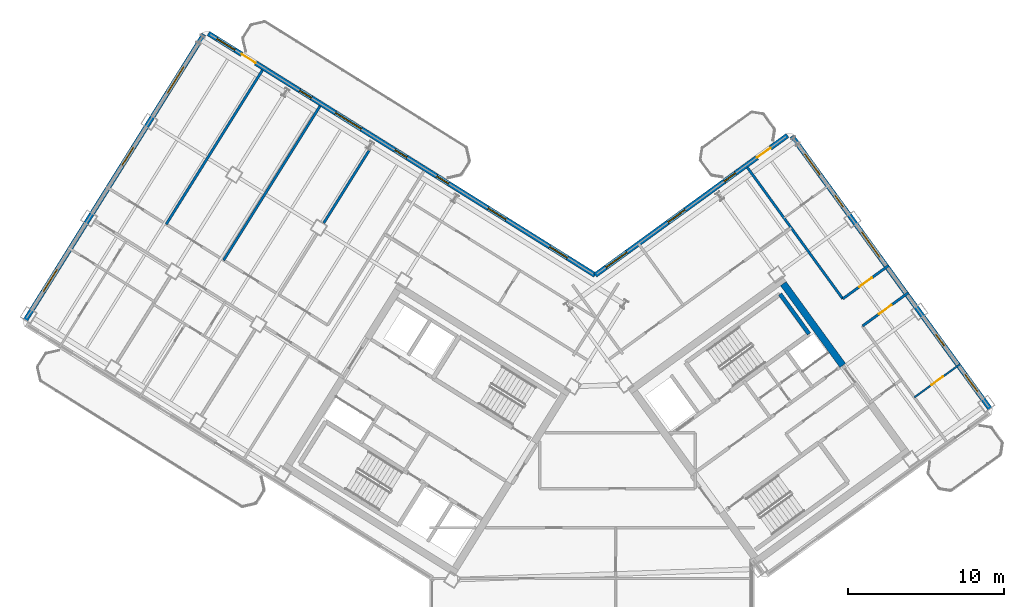
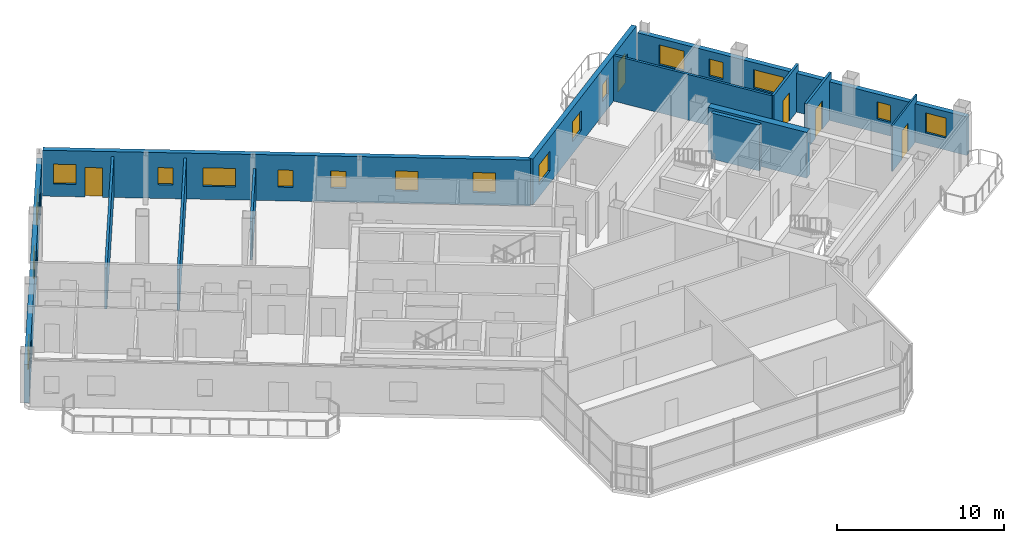
# One storey, part 15 of 21: 18 windows, 13 walls, 5 doors, 23 openings.
"""IFC4 building model written with IfcOpenShell, lengths in metres."""

from ifc_helpers import new_model, si_unit, direction, frame, frame_2d, origin, place, context, subcontext, project, spatial, rectangle, extrude, source, transform, mapped, material, layer, layer_set, type_object, element, fill, save


model = new_model("IFC4")

# Units and contexts
model_context = context("Model", 3, precision=1e-05, world=origin(), true_north=direction((0.0, 1.0)))
body_context = subcontext(model_context, "Body", "Model", "MODEL_VIEW")
ifc_project = project(units=[si_unit("LENGTHUNIT", "METRE"), si_unit("AREAUNIT", "SQUARE_METRE"), si_unit("VOLUMEUNIT", "CUBIC_METRE"), si_unit("PLANEANGLEUNIT", "RADIAN"), si_unit("MASSUNIT", "GRAM", prefix="KILO")], contexts=[model_context])

# Site, building, storey
site_placement = place(None, origin())
site = spatial("IfcSite", under=ifc_project, at=site_placement, CompositionType="ELEMENT")
building_placement = place(site_placement, origin())
building = spatial("IfcBuilding", under=site, at=building_placement, Name="Tlacorven Tower", CompositionType="ELEMENT")
storey_placement = place(building_placement, frame((0.0, 0.0, 207.60009765625)))
storey = spatial("IfcBuildingStorey", under=building, at=storey_placement, Name="L52", CompositionType="ELEMENT", Elevation=207.60009765625)

# Walls
ifc_material_1 = material(Name="Concrete C50/60", Category="concrete")
ifc_layer_1 = layer(ifc_material_1, 0.449951171875)
ifc_layer_set_1 = layer_set([ifc_layer_1], Name="Concrete C50/60")
wall_type_1 = type_object("IfcWallType", Name="WL-COR-450", PredefinedType="SHEAR", material=ifc_layer_set_1)
wall_1_placement = place(storey_placement, frame((58.06396484375, 25.8134765625, 0.0), z_axis=(0.0, 0.0, 1.0), x_axis=(-0.587774812919, 0.809024578921, 0.0)))
element("IfcWall", 1, at=wall_1_placement, inside=storey, type_object=wall_type_1, Name="L52 E core end wall E2.2", PredefinedType="SHEAR", context=body_context, shape_type="SweptSolid", body=[
    extrude(rectangle(XDim=6.47509765625, YDim=0.449951171875, at=frame_2d((3.237548828125, 0.0))), origin(), (0.0, 0.0, 1.0), 3.349853515625),
])
ifc_material_2 = material(Name="Gypsum plasterboard acoustic partition", Category="gypsum")
ifc_layer_2 = layer(ifc_material_2, 0.159912109375)
ifc_layer_set_2 = layer_set([ifc_layer_2], Name="Gypsum plasterboard acoustic partition")
wall_type_2 = type_object("IfcWallType", Name="WL-DEM-160", PredefinedType="PARTITIONING", material=ifc_layer_set_2)
wall_2_placement = place(storey_placement, frame((27.73046875, 39.596923828125, 0.0), z_axis=(0.0, 0.0, 1.0), x_axis=(-0.529919150083, -0.848048167486, 0.0)))
element("IfcWall", 2, at=wall_2_placement, inside=storey, type_object=wall_type_2, Name="L52 partition 55", PredefinedType="PARTITIONING", context=body_context, shape_type="SweptSolid", body=[
    extrude(rectangle(XDim=5.5009765625, YDim=0.159912109375, at=frame_2d((2.75048828125, 0.0))), origin(), (0.0, 0.0, 1.0), 2.824951171875),
])
for number, where, z_axis, x_axis, name in (
    (3, (24.577880859375, 42.43603515625, 0.0), (0.0, 0.0, 1.0), (-0.529916055051, -0.848050101468, 0.0), "L52 partition 56"),
    (4, (20.89404296875, 44.738037109375, 0.0), (0.0, 0.0, 1.0), (-0.529916055051, -0.848050101468, 0.0), "L52 partition 57"),
):
    element("IfcWall", number, at=place(storey_placement, frame(where, z_axis=z_axis, x_axis=x_axis)), inside=storey, type_object=wall_type_2, Name=name, PredefinedType="PARTITIONING", context=body_context, shape_type="SweptSolid", body=[
        extrude(rectangle(XDim=11.650146484375, YDim=0.159912109375, at=frame_2d((5.8251953125, 0.0))), origin(), (0.0, 0.0, 1.0), 2.994873046875),
    ])
wall_3_placement = place(storey_placement, frame((58.06689453125, 30.080078125, 0.0), z_axis=(0.0, 0.0, 1.0), x_axis=(-0.587787785243, 0.809015154073, 0.0)))
element("IfcWall", 5, at=wall_3_placement, inside=storey, type_object=wall_type_2, Name="L52 partition 78", PredefinedType="PARTITIONING", context=body_context, shape_type="SweptSolid", body=[
    extrude(rectangle(XDim=10.400146484375, YDim=0.159912109375, at=frame_2d((5.2001953125, 0.0))), origin(), (0.0, 0.0, 1.0), 3.33984375),
])

# Wall, opening, door
wall_4_placement = place(storey_placement, frame((59.33056640625, 28.340576171875, 0.0), z_axis=(0.0, 0.0, 1.0), x_axis=(0.809003564202, 0.587803736896, 0.0)))
wall_4 = element("IfcWall", 6, at=wall_4_placement, inside=storey, type_object=wall_type_2, Name="L52 partition 80", PredefinedType="PARTITIONING", context=body_context, shape_type="SweptSolid", body=[
    extrude(rectangle(XDim=3.630126953125, YDim=0.159912109375, at=frame_2d((1.81494140625, 0.0))), origin(), (0.0, 0.0, 1.0), 3.33984375),
])
opening_1_placement = place(wall_4_placement, frame((1.304931640625, 0.0, 0.0)))
opening_1 = element("IfcOpeningElement", 7, at=opening_1_placement, cuts=wall_4, Name="Opening D11", PredefinedType="OPENING", context=body_context, shape_type="SweptSolid", body=[
    extrude(rectangle(XDim=1.0, YDim=2.10009765625, at=frame_2d((0.5, 1.050048828125))), frame((0.0, 0.08984375, 0.0), z_axis=(0.0, -1.0, 0.0), x_axis=(1.0, 0.0, 0.0)), (0.0, 0.0, 1.0), 0.179931640625),
])
ifc_material_3 = material(Name="Fire-rated steel door assembly", Category="steel")
door_type_1 = type_object("IfcDoorType", Name="DR-FLT-FD60-1000", OperationType="NOTDEFINED", PredefinedType="DOOR", material=ifc_material_3)
shared_shape_1 = source(origin(), body_context, "Body", "SweptSolid", [
    extrude(rectangle(XDim=1.0, YDim=2.10009765625, at=frame_2d((0.5, 1.050048828125))), frame((0.0, 0.02490234375, 0.0), z_axis=(0.0, -1.0, 0.0), x_axis=(1.0, 0.0, 0.0)), (0.0, 0.0, 1.0), 0.050048828125),
])
door_1_placement = place(opening_1_placement, origin())
door_1 = element("IfcDoor", 8, at=door_1_placement, inside=storey, type_object=door_type_1, Name="L52 door 054", OperationType="SINGLE_SWING_LEFT", OverallHeight=2.10009765625, OverallWidth=1.0, PredefinedType="DOOR", context=body_context, shape_type="MappedRepresentation", body=[
    mapped(shared_shape_1, transform((0.0, 0.0, 0.0), scale=1.0)),
])
fill(opening_1, door_1)

wall_5_placement = place(storey_placement, frame((58.06689453125, 30.080078125, 0.0), z_axis=(0.0, 0.0, 1.0), x_axis=(0.809012309495, 0.587791700422, 0.0)))
wall_5 = element("IfcWall", 9, at=wall_5_placement, inside=storey, type_object=wall_type_2, Name="L52 partition 81", PredefinedType="PARTITIONING", context=body_context, shape_type="SweptSolid", body=[
    extrude(rectangle(XDim=3.6298828125, YDim=0.159912109375, at=frame_2d((1.81494140625, 0.0))), origin(), (0.0, 0.0, 1.0), 3.33984375),
])
opening_2_placement = place(wall_5_placement, frame((1.304931640625, 0.0, 0.0)))
opening_2 = element("IfcOpeningElement", 10, at=opening_2_placement, cuts=wall_5, Name="Opening D11", PredefinedType="OPENING", context=body_context, shape_type="SweptSolid", body=[
    extrude(rectangle(XDim=1.0, YDim=2.10009765625, at=frame_2d((0.5, 1.050048828125))), frame((0.0, 0.08984375, 0.0), z_axis=(0.0, -1.0, 0.0), x_axis=(1.0, 0.0, 0.0)), (0.0, 0.0, 1.0), 0.179931640625),
])
door_2_placement = place(opening_2_placement, origin())
door_2 = element("IfcDoor", 11, at=door_2_placement, inside=storey, type_object=door_type_1, Name="L52 door 052", OperationType="SINGLE_SWING_LEFT", OverallHeight=2.10009765625, OverallWidth=1.0, PredefinedType="DOOR", context=body_context, shape_type="MappedRepresentation", body=[
    mapped(shared_shape_1, transform((0.0, 0.0, 0.0), scale=1.0)),
])
fill(opening_2, door_2)

# Wall, openings, windows
ifc_material_4 = material(Name="Precast concrete C45/55", Category="concrete")
ifc_layer_3 = layer(ifc_material_4, 0.320068359375)
ifc_layer_set_3 = layer_set([ifc_layer_3], Name="Precast concrete C45/55")
wall_type_3 = type_object("IfcWallType", Name="WL-EXT-320", PredefinedType="STANDARD", material=ifc_layer_set_3)
wall_6_placement = place(storey_placement, frame((5.699951171875, 28.71044921875, 0.0), z_axis=(0.0, 0.0, 1.0), x_axis=(0.529923711467, 0.8480453172, 0.0)))
wall_6 = element("IfcWall", 12, at=wall_6_placement, inside=storey, type_object=wall_type_3, Name="L52 Masonry-Frame Recessed Facade Wall 2", PredefinedType="STANDARD", context=body_context, shape_type="SweptSolid", body=[
    extrude(rectangle(XDim=21.58740234375, YDim=0.320068359375, at=frame_2d((10.793701171875, 0.0))), origin(), (0.0, 0.0, 1.0), 2.824951171875),
])
opening_3_placement = place(wall_6_placement, frame((2.18359375, 0.0, 0.89990234375)))
opening_3 = element("IfcOpeningElement", 13, at=opening_3_placement, cuts=wall_6, Name="Opening WN07", PredefinedType="OPENING", context=body_context, shape_type="SweptSolid", body=[
    extrude(rectangle(XDim=1.64990234375, YDim=1.449951171875, at=frame_2d((0.824951171875, 0.72509765625))), frame((0.0, 0.169921875, 0.0), z_axis=(0.0, -1.0, 0.0), x_axis=(1.0, 0.0, 0.0)), (0.0, 0.0, 1.0), 0.340087890625),
])
opening_4_placement = place(wall_6_placement, frame((11.708740234375, 0.0, 0.89990234375)))
opening_4 = element("IfcOpeningElement", 14, at=opening_4_placement, cuts=wall_6, Name="Opening WN08", PredefinedType="OPENING", context=body_context, shape_type="SweptSolid", body=[
    extrude(rectangle(XDim=1.35009765625, YDim=1.449951171875, at=frame_2d((0.675048828125, 0.72509765625))), frame((0.0, 0.169921875, 0.0), z_axis=(0.0, -1.0, 0.0), x_axis=(1.0, 0.0, 0.0)), (0.0, 0.0, 1.0), 0.340087890625),
])
opening_5_placement = place(wall_6_placement, frame((17.18115234375, 0.0, 0.949951171875)))
opening_5 = element("IfcOpeningElement", 15, at=opening_5_placement, cuts=wall_6, Name="Opening WN09", PredefinedType="OPENING", context=body_context, shape_type="SweptSolid", body=[
    extrude(rectangle(XDim=1.949951171875, YDim=1.35009765625, at=frame_2d((0.97509765625, 0.675048828125))), frame((0.0, 0.169921875, 0.0), z_axis=(0.0, -1.0, 0.0), x_axis=(1.0, 0.0, 0.0)), (0.0, 0.0, 1.0), 0.340087890625),
])
ifc_material_5 = material(Name="Dark solar low-E double glazing in anodised aluminium frame", Category="aluminium")
window_type_1 = type_object("IfcWindowType", Name="WN-APT-1650X1600", PartitioningType="SINGLE_PANEL", PredefinedType="WINDOW", material=ifc_material_5)
shared_shape_2 = source(origin(), body_context, "Body", "SweptSolid", [
    extrude(rectangle(XDim=1.64990234375, YDim=1.449951171875, at=frame_2d((0.824951171875, 0.72509765625))), frame((0.0, 0.030029296875, 0.0), z_axis=(0.0, -1.0, 0.0), x_axis=(1.0, 0.0, 0.0)), (0.0, 0.0, 1.0), 0.06005859375),
])
window_1_placement = place(opening_3_placement, origin())
window_1 = element("IfcWindow", 16, at=window_1_placement, inside=storey, type_object=window_type_1, Name="L52 Recessed Masonry-Frame Window L52-02.1", OverallHeight=1.449951171875, OverallWidth=1.64990234375, PartitioningType="SINGLE_PANEL", PredefinedType="WINDOW", context=body_context, shape_type="MappedRepresentation", body=[
    mapped(shared_shape_2, transform((0.0, 0.0, 0.0), scale=1.0)),
])
fill(opening_3, window_1)
window_type_2 = type_object("IfcWindowType", Name="WN-APT-1350X1550", PartitioningType="SINGLE_PANEL", PredefinedType="WINDOW", material=ifc_material_5)
shared_shape_3 = source(origin(), body_context, "Body", "SweptSolid", [
    extrude(rectangle(XDim=1.35009765625, YDim=1.449951171875, at=frame_2d((0.675048828125, 0.72509765625))), frame((0.0, 0.030029296875, 0.0), z_axis=(0.0, -1.0, 0.0), x_axis=(1.0, 0.0, 0.0)), (0.0, 0.0, 1.0), 0.06005859375),
])
window_2_placement = place(opening_4_placement, origin())
window_2 = element("IfcWindow", 17, at=window_2_placement, inside=storey, type_object=window_type_2, Name="L52 Recessed Masonry-Frame Window L52-02.2", OverallHeight=1.449951171875, OverallWidth=1.35009765625, PartitioningType="SINGLE_PANEL", PredefinedType="WINDOW", context=body_context, shape_type="MappedRepresentation", body=[
    mapped(shared_shape_3, transform((0.0, 0.0, 0.0), scale=1.0)),
])
fill(opening_4, window_2)
window_type_3 = type_object("IfcWindowType", Name="WN-GAL-1950X1450", PartitioningType="SINGLE_PANEL", PredefinedType="WINDOW", material=ifc_material_5)
shared_shape_4 = source(origin(), body_context, "Body", "SweptSolid", [
    extrude(rectangle(XDim=1.949951171875, YDim=1.35009765625, at=frame_2d((0.97509765625, 0.675048828125))), frame((0.0, 0.030029296875, 0.0), z_axis=(0.0, -1.0, 0.0), x_axis=(1.0, 0.0, 0.0)), (0.0, 0.0, 1.0), 0.06005859375),
])
window_3_placement = place(opening_5_placement, origin())
window_3 = element("IfcWindow", 18, at=window_3_placement, inside=storey, type_object=window_type_3, Name="L52 Recessed Masonry-Frame Window L52-02.3", OverallHeight=1.35009765625, OverallWidth=1.949951171875, PartitioningType="SINGLE_PANEL", PredefinedType="WINDOW", context=body_context, shape_type="MappedRepresentation", body=[
    mapped(shared_shape_4, transform((0.0, 0.0, 0.0), scale=1.0)),
])
fill(opening_5, window_3)

# Wall, openings, door, windows
wall_7_placement = place(storey_placement, frame((17.423828125, 47.083251953125, 0.0), z_axis=(0.0, 0.0, 1.0), x_axis=(0.848049927979, -0.529916332693, 0.0)))
wall_7 = element("IfcWall", 19, at=wall_7_placement, inside=storey, type_object=wall_type_3, Name="L52 Masonry-Frame Recessed Facade Wall 3", PredefinedType="STANDARD", context=body_context, shape_type="SweptSolid", body=[
    extrude(rectangle(XDim=29.22314453125, YDim=0.320068359375, at=frame_2d((14.611572265625, 0.0))), origin(), (0.0, 0.0, 1.0), 3.349853515625),
])
opening_6_placement = place(wall_7_placement, frame((2.525634765625, 0.0, 0.0)))
opening_6 = element("IfcOpeningElement", 20, at=opening_6_placement, cuts=wall_7, Name="Opening D06", PredefinedType="OPENING", context=body_context, shape_type="SweptSolid", body=[
    extrude(rectangle(XDim=1.050048828125, YDim=2.14990234375, at=frame_2d((0.52490234375, 1.074951171875))), frame((0.0, 0.169921875, 0.0), z_axis=(0.0, -1.0, 0.0), x_axis=(1.0, 0.0, 0.0)), (0.0, 0.0, 1.0), 0.340087890625),
])
opening_7_placement = place(wall_7_placement, frame((0.65283203125, 0.0, 0.89990234375)))
opening_7 = element("IfcOpeningElement", 21, at=opening_7_placement, cuts=wall_7, Name="Opening WN08", PredefinedType="OPENING", context=body_context, shape_type="SweptSolid", body=[
    extrude(rectangle(XDim=1.35009765625, YDim=1.449951171875, at=frame_2d((0.675048828125, 0.72509765625))), frame((0.0, 0.169921875, 0.0), z_axis=(0.0, -1.0, 0.0), x_axis=(1.0, 0.0, 0.0)), (0.0, 0.0, 1.0), 0.340087890625),
])
opening_8_placement = place(wall_7_placement, frame((6.896728515625, 0.0, 1.0)))
opening_8 = element("IfcOpeningElement", 22, at=opening_8_placement, cuts=wall_7, Name="Opening WN05", PredefinedType="OPENING", context=body_context, shape_type="SweptSolid", body=[
    extrude(rectangle(XDim=0.89990234375, YDim=1.25, at=frame_2d((0.449951171875, 0.625))), frame((0.0, 0.169921875, 0.0), z_axis=(0.0, -1.0, 0.0), x_axis=(1.0, 0.0, 0.0)), (0.0, 0.0, 1.0), 0.340087890625),
])
opening_9_placement = place(wall_7_placement, frame((9.601806640625, 0.0, 0.949951171875)))
opening_9 = element("IfcOpeningElement", 23, at=opening_9_placement, cuts=wall_7, Name="Opening WN09", PredefinedType="OPENING", context=body_context, shape_type="SweptSolid", body=[
    extrude(rectangle(XDim=1.949951171875, YDim=1.35009765625, at=frame_2d((0.97509765625, 0.675048828125))), frame((0.0, 0.169921875, 0.0), z_axis=(0.0, -1.0, 0.0), x_axis=(1.0, 0.0, 0.0)), (0.0, 0.0, 1.0), 0.340087890625),
])
opening_10_placement = place(wall_7_placement, frame((14.095703125, 0.0, 1.0)))
opening_10 = element("IfcOpeningElement", 24, at=opening_10_placement, cuts=wall_7, Name="Opening WN05", PredefinedType="OPENING", context=body_context, shape_type="SweptSolid", body=[
    extrude(rectangle(XDim=0.89990234375, YDim=1.25, at=frame_2d((0.449951171875, 0.625))), frame((0.0, 0.169921875, 0.0), z_axis=(0.0, -1.0, 0.0), x_axis=(1.0, 0.0, 0.0)), (0.0, 0.0, 1.0), 0.340087890625),
])
opening_11_placement = place(wall_7_placement, frame((17.253662109375, 0.0, 1.0)))
opening_11 = element("IfcOpeningElement", 25, at=opening_11_placement, cuts=wall_7, Name="Opening WN05", PredefinedType="OPENING", context=body_context, shape_type="SweptSolid", body=[
    extrude(rectangle(XDim=0.89990234375, YDim=1.25, at=frame_2d((0.449951171875, 0.625))), frame((0.0, 0.169921875, 0.0), z_axis=(0.0, -1.0, 0.0), x_axis=(1.0, 0.0, 0.0)), (0.0, 0.0, 1.0), 0.340087890625),
])
opening_12_placement = place(wall_7_placement, frame((21.138671875, 0.0, 0.89990234375)))
opening_12 = element("IfcOpeningElement", 26, at=opening_12_placement, cuts=wall_7, Name="Opening WN08", PredefinedType="OPENING", context=body_context, shape_type="SweptSolid", body=[
    extrude(rectangle(XDim=1.35009765625, YDim=1.449951171875, at=frame_2d((0.675048828125, 0.72509765625))), frame((0.0, 0.169921875, 0.0), z_axis=(0.0, -1.0, 0.0), x_axis=(1.0, 0.0, 0.0)), (0.0, 0.0, 1.0), 0.340087890625),
])
opening_13_placement = place(wall_7_placement, frame((25.7783203125, 0.0, 0.89990234375)))
opening_13 = element("IfcOpeningElement", 27, at=opening_13_placement, cuts=wall_7, Name="Opening WN08", PredefinedType="OPENING", context=body_context, shape_type="SweptSolid", body=[
    extrude(rectangle(XDim=1.35009765625, YDim=1.449951171875, at=frame_2d((0.675048828125, 0.72509765625))), frame((0.0, 0.169921875, 0.0), z_axis=(0.0, -1.0, 0.0), x_axis=(1.0, 0.0, 0.0)), (0.0, 0.0, 1.0), 0.340087890625),
])
ifc_material_6 = material(Name="Powder-coated aluminium and timber door", Category="wood")
door_type_2 = type_object("IfcDoorType", Name="DR-EXT-BALC-1050", OperationType="NOTDEFINED", PredefinedType="DOOR", material=ifc_material_6)
shared_shape_5 = source(origin(), body_context, "Body", "SweptSolid", [
    extrude(rectangle(XDim=1.050048828125, YDim=2.14990234375, at=frame_2d((0.52490234375, 1.074951171875))), frame((0.0, 0.02490234375, 0.0), z_axis=(0.0, -1.0, 0.0), x_axis=(1.0, 0.0, 0.0)), (0.0, 0.0, 1.0), 0.050048828125),
])
door_3_placement = place(opening_6_placement, origin())
door_3 = element("IfcDoor", 28, at=door_3_placement, inside=storey, type_object=door_type_2, Name="L52 Outdoor Access Door BAL-L52-W-IN", OperationType="SINGLE_SWING_RIGHT", OverallHeight=2.14990234375, OverallWidth=1.050048828125, PredefinedType="DOOR", context=body_context, shape_type="MappedRepresentation", body=[
    mapped(shared_shape_5, transform((0.0, 0.0, 0.0), scale=1.0)),
])
fill(opening_6, door_3)
window_type_4 = type_object("IfcWindowType", Name="WN-APT-0900X1350", PartitioningType="SINGLE_PANEL", PredefinedType="WINDOW", material=ifc_material_5)
shared_shape_6 = source(origin(), body_context, "Body", "SweptSolid", [
    extrude(rectangle(XDim=0.89990234375, YDim=1.25, at=frame_2d((0.449951171875, 0.625))), frame((0.0, 0.030029296875, 0.0), z_axis=(0.0, -1.0, 0.0), x_axis=(1.0, 0.0, 0.0)), (0.0, 0.0, 1.0), 0.06005859375),
])
window_4_placement = place(opening_8_placement, origin())
window_4 = element("IfcWindow", 29, at=window_4_placement, inside=storey, type_object=window_type_4, Name="L52 Recessed Masonry-Frame Window L52-03.2", OverallHeight=1.25, OverallWidth=0.89990234375, PartitioningType="SINGLE_PANEL", PredefinedType="WINDOW", context=body_context, shape_type="MappedRepresentation", body=[
    mapped(shared_shape_6, transform((0.0, 0.0, 0.0), scale=1.0)),
])
fill(opening_8, window_4)
window_5_placement = place(opening_10_placement, origin())
window_5 = element("IfcWindow", 30, at=window_5_placement, inside=storey, type_object=window_type_4, Name="L52 Recessed Masonry-Frame Window L52-03.4", OverallHeight=1.25, OverallWidth=0.89990234375, PartitioningType="SINGLE_PANEL", PredefinedType="WINDOW", context=body_context, shape_type="MappedRepresentation", body=[
    mapped(shared_shape_6, transform((0.0, 0.0, 0.0), scale=1.0)),
])
fill(opening_10, window_5)
window_6_placement = place(opening_11_placement, origin())
window_6 = element("IfcWindow", 31, at=window_6_placement, inside=storey, type_object=window_type_4, Name="L52 Recessed Masonry-Frame Window L52-03.5", OverallHeight=1.25, OverallWidth=0.89990234375, PartitioningType="SINGLE_PANEL", PredefinedType="WINDOW", context=body_context, shape_type="MappedRepresentation", body=[
    mapped(shared_shape_6, transform((0.0, 0.0, 0.0), scale=1.0)),
])
fill(opening_11, window_6)
window_7_placement = place(opening_7_placement, origin())
window_7 = element("IfcWindow", 32, at=window_7_placement, inside=storey, type_object=window_type_2, Name="L52 Recessed Masonry-Frame Window L52-03.1", OverallHeight=1.449951171875, OverallWidth=1.35009765625, PartitioningType="SINGLE_PANEL", PredefinedType="WINDOW", context=body_context, shape_type="MappedRepresentation", body=[
    mapped(shared_shape_3, transform((0.0, 0.0, 0.0), scale=1.0)),
])
fill(opening_7, window_7)
window_8_placement = place(opening_12_placement, origin())
window_8 = element("IfcWindow", 33, at=window_8_placement, inside=storey, type_object=window_type_2, Name="L52 Recessed Masonry-Frame Window L52-03.6", OverallHeight=1.449951171875, OverallWidth=1.35009765625, PartitioningType="SINGLE_PANEL", PredefinedType="WINDOW", context=body_context, shape_type="MappedRepresentation", body=[
    mapped(shared_shape_3, transform((0.0, 0.0, 0.0), scale=1.0)),
])
fill(opening_12, window_8)
window_9_placement = place(opening_13_placement, origin())
window_9 = element("IfcWindow", 34, at=window_9_placement, inside=storey, type_object=window_type_2, Name="L52 Recessed Masonry-Frame Window L52-03.7", OverallHeight=1.449951171875, OverallWidth=1.35009765625, PartitioningType="SINGLE_PANEL", PredefinedType="WINDOW", context=body_context, shape_type="MappedRepresentation", body=[
    mapped(shared_shape_3, transform((0.0, 0.0, 0.0), scale=1.0)),
])
fill(opening_13, window_9)
window_10_placement = place(opening_9_placement, origin())
window_10 = element("IfcWindow", 35, at=window_10_placement, inside=storey, type_object=window_type_3, Name="L52 Recessed Masonry-Frame Window L52-03.3", OverallHeight=1.35009765625, OverallWidth=1.949951171875, PartitioningType="SINGLE_PANEL", PredefinedType="WINDOW", context=body_context, shape_type="MappedRepresentation", body=[
    mapped(shared_shape_4, transform((0.0, 0.0, 0.0), scale=1.0)),
])
fill(opening_9, window_10)

wall_8_placement = place(storey_placement, frame((42.20654296875, 31.597412109375, 0.0), z_axis=(0.0, 0.0, 1.0), x_axis=(0.809020333377, 0.587780656523, 0.0)))
wall_8 = element("IfcWall", 36, at=wall_8_placement, inside=storey, type_object=wall_type_3, Name="L52 Masonry-Frame Recessed Facade Wall 4", PredefinedType="STANDARD", context=body_context, shape_type="SweptSolid", body=[
    extrude(rectangle(XDim=15.222900390625, YDim=0.320068359375, at=frame_2d((7.611328125, 0.0))), origin(), (0.0, 0.0, 1.0), 3.349853515625),
])
opening_14_placement = place(wall_8_placement, frame((12.81982421875, 0.0, 0.0)))
opening_14 = element("IfcOpeningElement", 37, at=opening_14_placement, cuts=wall_8, Name="Opening D06", PredefinedType="OPENING", context=body_context, shape_type="SweptSolid", body=[
    extrude(rectangle(XDim=1.050048828125, YDim=2.14990234375, at=frame_2d((0.52490234375, 1.074951171875))), frame((0.0, 0.169921875, 0.0), z_axis=(0.0, -1.0, 0.0), x_axis=(1.0, 0.0, 0.0)), (0.0, 0.0, 1.0), 0.340087890625),
])
opening_15_placement = place(wall_8_placement, frame((0.849609375, 0.0, 0.89990234375)))
opening_15 = element("IfcOpeningElement", 38, at=opening_15_placement, cuts=wall_8, Name="Opening WN07", PredefinedType="OPENING", context=body_context, shape_type="SweptSolid", body=[
    extrude(rectangle(XDim=1.64990234375, YDim=1.449951171875, at=frame_2d((0.824951171875, 0.72509765625))), frame((0.0, 0.169921875, 0.0), z_axis=(0.0, -1.0, 0.0), x_axis=(1.0, 0.0, 0.0)), (0.0, 0.0, 1.0), 0.340087890625),
])
opening_16_placement = place(wall_8_placement, frame((5.769287109375, 0.0, 0.89990234375)))
opening_16 = element("IfcOpeningElement", 39, at=opening_16_placement, cuts=wall_8, Name="Opening WN08", PredefinedType="OPENING", context=body_context, shape_type="SweptSolid", body=[
    extrude(rectangle(XDim=1.35009765625, YDim=1.449951171875, at=frame_2d((0.675048828125, 0.72509765625))), frame((0.0, 0.169921875, 0.0), z_axis=(0.0, -1.0, 0.0), x_axis=(1.0, 0.0, 0.0)), (0.0, 0.0, 1.0), 0.340087890625),
])
opening_17_placement = place(wall_8_placement, frame((10.219482421875, 0.0, 1.0)))
opening_17 = element("IfcOpeningElement", 40, at=opening_17_placement, cuts=wall_8, Name="Opening WN05", PredefinedType="OPENING", context=body_context, shape_type="SweptSolid", body=[
    extrude(rectangle(XDim=0.89990234375, YDim=1.25, at=frame_2d((0.449951171875, 0.625))), frame((0.0, 0.169921875, 0.0), z_axis=(0.0, -1.0, 0.0), x_axis=(1.0, 0.0, 0.0)), (0.0, 0.0, 1.0), 0.340087890625),
])
door_4_placement = place(opening_14_placement, origin())
door_4 = element("IfcDoor", 41, at=door_4_placement, inside=storey, type_object=door_type_2, Name="L52 Outdoor Access Door BAL-L52-E-IN", OperationType="SINGLE_SWING_RIGHT", OverallHeight=2.14990234375, OverallWidth=1.050048828125, PredefinedType="DOOR", context=body_context, shape_type="MappedRepresentation", body=[
    mapped(shared_shape_5, transform((0.0, 0.0, 0.0), scale=1.0)),
])
fill(opening_14, door_4)
window_11_placement = place(opening_17_placement, origin())
window_11 = element("IfcWindow", 42, at=window_11_placement, inside=storey, type_object=window_type_4, Name="L52 Recessed Masonry-Frame Window L52-04.3", OverallHeight=1.25, OverallWidth=0.89990234375, PartitioningType="SINGLE_PANEL", PredefinedType="WINDOW", context=body_context, shape_type="MappedRepresentation", body=[
    mapped(shared_shape_6, transform((0.0, 0.0, 0.0), scale=1.0)),
])
fill(opening_17, window_11)
window_12_placement = place(opening_15_placement, origin())
window_12 = element("IfcWindow", 43, at=window_12_placement, inside=storey, type_object=window_type_1, Name="L52 Recessed Masonry-Frame Window L52-04.1", OverallHeight=1.449951171875, OverallWidth=1.64990234375, PartitioningType="SINGLE_PANEL", PredefinedType="WINDOW", context=body_context, shape_type="MappedRepresentation", body=[
    mapped(shared_shape_2, transform((0.0, 0.0, 0.0), scale=1.0)),
])
fill(opening_15, window_12)
window_13_placement = place(opening_16_placement, origin())
window_13 = element("IfcWindow", 44, at=window_13_placement, inside=storey, type_object=window_type_2, Name="L52 Recessed Masonry-Frame Window L52-04.2", OverallHeight=1.449951171875, OverallWidth=1.35009765625, PartitioningType="SINGLE_PANEL", PredefinedType="WINDOW", context=body_context, shape_type="MappedRepresentation", body=[
    mapped(shared_shape_3, transform((0.0, 0.0, 0.0), scale=1.0)),
])
fill(opening_16, window_13)

# Wall, openings, windows
wall_9_placement = place(storey_placement, frame((54.810302734375, 40.49951171875, 0.0), z_axis=(0.0, 0.0, 1.0), x_axis=(0.587783625747, -0.809018176127, 0.0)))
wall_9 = element("IfcWall", 45, at=wall_9_placement, inside=storey, type_object=wall_type_3, Name="L52 Masonry-Frame Recessed Facade Wall 5", PredefinedType="STANDARD", context=body_context, shape_type="SweptSolid", body=[
    extrude(rectangle(XDim=21.58740234375, YDim=0.320068359375, at=frame_2d((10.793701171875, 0.0))), origin(), (0.0, 0.0, 1.0), 2.824951171875),
])
opening_18_placement = place(wall_9_placement, frame((1.402587890625, 0.0, 0.89990234375)))
opening_18 = element("IfcOpeningElement", 46, at=opening_18_placement, cuts=wall_9, Name="Opening WN07", PredefinedType="OPENING", context=body_context, shape_type="SweptSolid", body=[
    extrude(rectangle(XDim=1.64990234375, YDim=1.449951171875, at=frame_2d((0.824951171875, 0.72509765625))), frame((0.0, 0.169921875, 0.0), z_axis=(0.0, -1.0, 0.0), x_axis=(1.0, 0.0, 0.0)), (0.0, 0.0, 1.0), 0.340087890625),
])
opening_19_placement = place(wall_9_placement, frame((4.6953125, 0.0, 1.0)))
opening_19 = element("IfcOpeningElement", 47, at=opening_19_placement, cuts=wall_9, Name="Opening WN05", PredefinedType="OPENING", context=body_context, shape_type="SweptSolid", body=[
    extrude(rectangle(XDim=0.89990234375, YDim=1.25, at=frame_2d((0.449951171875, 0.625))), frame((0.0, 0.169921875, 0.0), z_axis=(0.0, -1.0, 0.0), x_axis=(1.0, 0.0, 0.0)), (0.0, 0.0, 1.0), 0.340087890625),
])
opening_20_placement = place(wall_9_placement, frame((7.603759765625, 0.0, 0.949951171875)))
opening_20 = element("IfcOpeningElement", 48, at=opening_20_placement, cuts=wall_9, Name="Opening WN09", PredefinedType="OPENING", context=body_context, shape_type="SweptSolid", body=[
    extrude(rectangle(XDim=1.949951171875, YDim=1.35009765625, at=frame_2d((0.97509765625, 0.675048828125))), frame((0.0, 0.169921875, 0.0), z_axis=(0.0, -1.0, 0.0), x_axis=(1.0, 0.0, 0.0)), (0.0, 0.0, 1.0), 0.340087890625),
])
opening_21_placement = place(wall_9_placement, frame((15.692138671875, 0.0, 1.0)))
opening_21 = element("IfcOpeningElement", 49, at=opening_21_placement, cuts=wall_9, Name="Opening WN05", PredefinedType="OPENING", context=body_context, shape_type="SweptSolid", body=[
    extrude(rectangle(XDim=0.89990234375, YDim=1.25, at=frame_2d((0.449951171875, 0.625))), frame((0.0, 0.169921875, 0.0), z_axis=(0.0, -1.0, 0.0), x_axis=(1.0, 0.0, 0.0)), (0.0, 0.0, 1.0), 0.340087890625),
])
opening_22_placement = place(wall_9_placement, frame((18.872314453125, 0.0, 0.89990234375)))
opening_22 = element("IfcOpeningElement", 50, at=opening_22_placement, cuts=wall_9, Name="Opening WN08", PredefinedType="OPENING", context=body_context, shape_type="SweptSolid", body=[
    extrude(rectangle(XDim=1.35009765625, YDim=1.449951171875, at=frame_2d((0.675048828125, 0.72509765625))), frame((0.0, 0.169921875, 0.0), z_axis=(0.0, -1.0, 0.0), x_axis=(1.0, 0.0, 0.0)), (0.0, 0.0, 1.0), 0.340087890625),
])
window_14_placement = place(opening_19_placement, origin())
window_14 = element("IfcWindow", 51, at=window_14_placement, inside=storey, type_object=window_type_4, Name="L52 Recessed Masonry-Frame Window L52-05.2", OverallHeight=1.25, OverallWidth=0.89990234375, PartitioningType="SINGLE_PANEL", PredefinedType="WINDOW", context=body_context, shape_type="MappedRepresentation", body=[
    mapped(shared_shape_6, transform((0.0, 0.0, 0.0), scale=1.0)),
])
fill(opening_19, window_14)
window_15_placement = place(opening_21_placement, origin())
window_15 = element("IfcWindow", 52, at=window_15_placement, inside=storey, type_object=window_type_4, Name="L52 Recessed Masonry-Frame Window L52-05.4", OverallHeight=1.25, OverallWidth=0.89990234375, PartitioningType="SINGLE_PANEL", PredefinedType="WINDOW", context=body_context, shape_type="MappedRepresentation", body=[
    mapped(shared_shape_6, transform((0.0, 0.0, 0.0), scale=1.0)),
])
fill(opening_21, window_15)
window_16_placement = place(opening_18_placement, origin())
window_16 = element("IfcWindow", 53, at=window_16_placement, inside=storey, type_object=window_type_1, Name="L52 Recessed Masonry-Frame Window L52-05.1", OverallHeight=1.449951171875, OverallWidth=1.64990234375, PartitioningType="SINGLE_PANEL", PredefinedType="WINDOW", context=body_context, shape_type="MappedRepresentation", body=[
    mapped(shared_shape_2, transform((0.0, 0.0, 0.0), scale=1.0)),
])
fill(opening_18, window_16)
window_17_placement = place(opening_22_placement, origin())
window_17 = element("IfcWindow", 54, at=window_17_placement, inside=storey, type_object=window_type_2, Name="L52 Recessed Masonry-Frame Window L52-05.5", OverallHeight=1.449951171875, OverallWidth=1.35009765625, PartitioningType="SINGLE_PANEL", PredefinedType="WINDOW", context=body_context, shape_type="MappedRepresentation", body=[
    mapped(shared_shape_3, transform((0.0, 0.0, 0.0), scale=1.0)),
])
fill(opening_22, window_17)
window_18_placement = place(opening_20_placement, origin())
window_18 = element("IfcWindow", 55, at=window_18_placement, inside=storey, type_object=window_type_3, Name="L52 Recessed Masonry-Frame Window L52-05.3", OverallHeight=1.35009765625, OverallWidth=1.949951171875, PartitioningType="SINGLE_PANEL", PredefinedType="WINDOW", context=body_context, shape_type="MappedRepresentation", body=[
    mapped(shared_shape_4, transform((0.0, 0.0, 0.0), scale=1.0)),
])
fill(opening_20, window_18)

# Wall, opening, door
ifc_material_7 = material(Name="Gypsum plasterboard partition", Category="gypsum")
ifc_layer_4 = layer(ifc_material_7, 0.110107421875)
ifc_layer_set_4 = layer_set([ifc_layer_4], Name="Gypsum plasterboard partition")
wall_type_4 = type_object("IfcWallType", Name="WL-INT-110", PredefinedType="PARTITIONING", material=ifc_layer_set_4)
wall_10_placement = place(storey_placement, frame((62.652587890625, 23.76806640625, 0.0), z_axis=(0.0, 0.0, 1.0), x_axis=(0.809037198293, 0.58775744298, 0.0)))
wall_10 = element("IfcWall", 56, at=wall_10_placement, inside=storey, type_object=wall_type_4, Name="L52 partition 83", PredefinedType="PARTITIONING", context=body_context, shape_type="SweptSolid", body=[
    extrude(rectangle(XDim=3.610107421875, YDim=0.110107421875, at=frame_2d((1.80517578125, 0.0))), origin(), (0.0, 0.0, 1.0), 3.33984375),
])
opening_23_placement = place(wall_10_placement, frame((1.344970703125, 0.0, 0.0)))
opening_23 = element("IfcOpeningElement", 57, at=opening_23_placement, cuts=wall_10, Name="Opening D12", PredefinedType="OPENING", context=body_context, shape_type="SweptSolid", body=[
    extrude(rectangle(XDim=0.919921875, YDim=2.080078125, at=frame_2d((0.4599609375, 1.0400390625))), frame((0.0, 0.06494140625, 0.0), z_axis=(0.0, -1.0, 0.0), x_axis=(1.0, 0.0, 0.0)), (0.0, 0.0, 1.0), 0.130126953125),
])
door_type_3 = type_object("IfcDoorType", Name="DR-INT-ROOM-0920", OperationType="NOTDEFINED", PredefinedType="DOOR", material=ifc_material_6)
shared_shape_7 = source(origin(), body_context, "Body", "SweptSolid", [
    extrude(rectangle(XDim=0.919921875, YDim=2.080078125, at=frame_2d((0.4599609375, 1.0400390625))), frame((0.0, 0.02490234375, 0.0), z_axis=(0.0, -1.0, 0.0), x_axis=(1.0, 0.0, 0.0)), (0.0, 0.0, 1.0), 0.050048828125),
])
door_5_placement = place(opening_23_placement, origin())
door_5 = element("IfcDoor", 58, at=door_5_placement, inside=storey, type_object=door_type_3, Name="L52 door 055", OperationType="SINGLE_SWING_RIGHT", OverallHeight=2.080078125, OverallWidth=0.919921875, PredefinedType="DOOR", context=body_context, shape_type="MappedRepresentation", body=[
    mapped(shared_shape_7, transform((0.0, 0.0, 0.0), scale=1.0)),
])
fill(opening_23, door_5)

# Wall
ifc_layer_5 = layer(ifc_material_1, 0.260009765625)
ifc_layer_set_5 = layer_set([ifc_layer_5], Name="Concrete C50/60")
wall_type_5 = type_object("IfcWallType", Name="WL-STW-260", PredefinedType="SHEAR", material=ifc_layer_set_5)
wall_11_placement = place(storey_placement, frame((55.906494140625, 27.83056640625, 0.0), z_axis=(0.0, 0.0, 1.0), x_axis=(-0.587804123638, 0.809003283204, 0.0)))
element("IfcWall", 59, at=wall_11_placement, inside=storey, type_object=wall_type_5, Name="L52 Stair E1 East Shear Wall", PredefinedType="SHEAR", context=body_context, shape_type="SweptSolid", body=[
    extrude(rectangle(XDim=3.159912109375, YDim=0.260009765625, at=frame_2d((1.580078125, 0.0))), origin(), (0.0, 0.0, 1.0), 3.349853515625),
])

save(model, "model.ifc")
